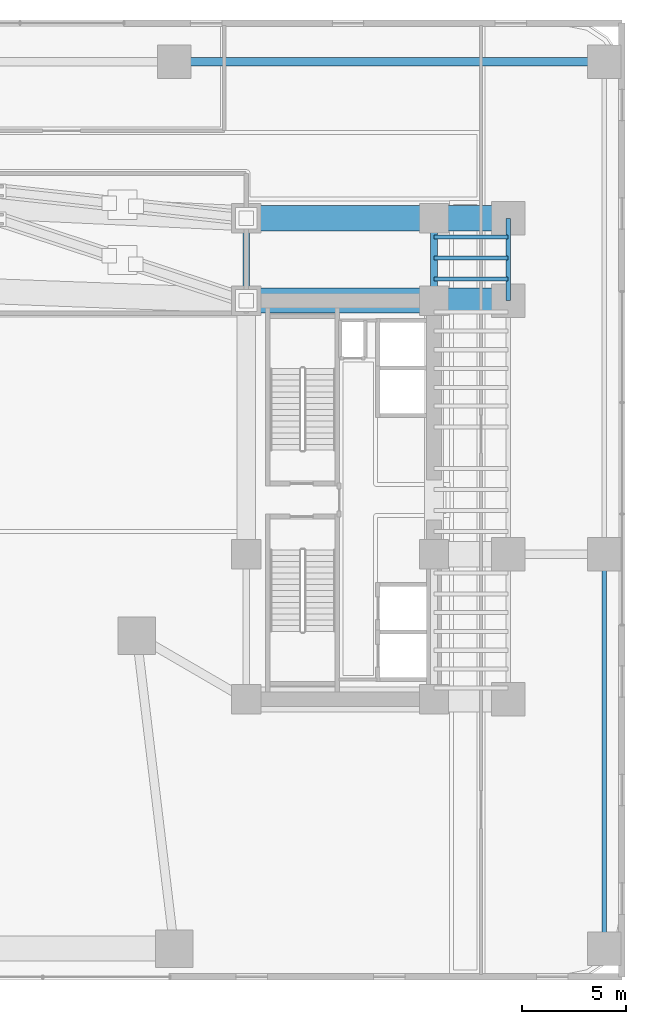
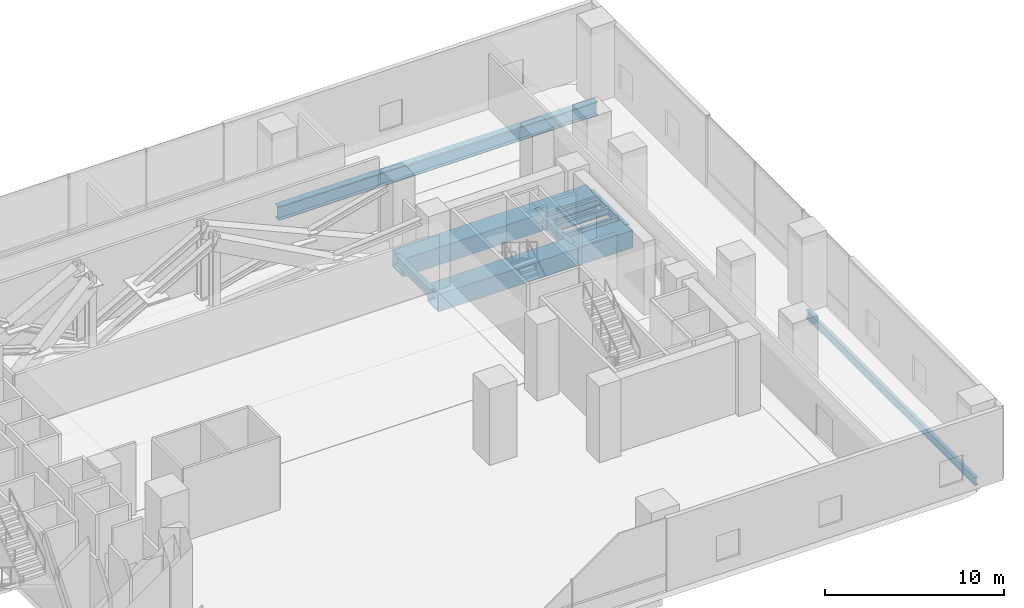
# One storey, part 19 of 41: 12 beams.
"""IFC4 building model written with IfcOpenShell, lengths in metres."""

from ifc_helpers import new_model, si_unit, direction, frame, origin, origin_2d, place, context, subcontext, project, spatial, hollow_rectangle, i_section, extrude, source, transform, mapped, material, material_profile, profile_set, type_object, element, save


model = new_model("IFC4")

# Units and contexts
model_context = context("Model", 3, precision=1e-05, world=origin(), true_north=direction((0.0, 1.0)))
body_context = subcontext(model_context, "Body", "Model", "MODEL_VIEW")
ifc_project = project(units=[si_unit("LENGTHUNIT", "METRE"), si_unit("AREAUNIT", "SQUARE_METRE"), si_unit("VOLUMEUNIT", "CUBIC_METRE"), si_unit("PLANEANGLEUNIT", "RADIAN"), si_unit("MASSUNIT", "GRAM", prefix="KILO")], contexts=[model_context])

# Site, building, storey
site_placement = place(None, origin())
site = spatial("IfcSite", under=ifc_project, at=site_placement, CompositionType="ELEMENT")
building_placement = place(site_placement, origin())
building = spatial("IfcBuilding", under=site, at=building_placement, Name="Valdorenza Pilgrim Sanctuary Tower", CompositionType="ELEMENT")
storey_placement = place(building_placement, frame((0.0, 0.0, 20.800048828125)))
storey = spatial("IfcBuildingStorey", under=building, at=storey_placement, Name="L04", CompositionType="ELEMENT", Elevation=20.800048828125)

# Beams
ifc_material_1 = material(Name="Steel ASTM A992 Grade 50", Category="steel")
ifc_material_profile_1 = material_profile(ifc_material_1, i_section(OverallWidth=0.323974609375, OverallDepth=0.611083984375, WebThickness=0.0126953125, FlangeThickness=0.01904296875, at=origin_2d()), Name="W24X104")
ifc_profile_set_1 = profile_set([ifc_material_profile_1], Name="Steel ASTM A992 Grade 50")
beam_type_1 = type_object("IfcBeamType", Name="STR-BM-GRD-W24B", PredefinedType="BEAM", material=ifc_profile_set_1)
shared_shape_1 = source(origin(), body_context, "Body", "SweptSolid", [
    extrude(i_section(OverallWidth=0.323974609375, OverallDepth=0.611083984375, WebThickness=0.0126953125, FlangeThickness=0.01904296875, at=origin_2d()), origin(), (0.0, 0.0, 1.0), 3.949951171875),
])
for number, where, z_axis, x_axis, name in (
    (1, (15.85009765625, 9.550048828125, -0.70556640625), (0.0, 1.0, 0.0), (-1.0, 0.0, 0.0), "L04 Core Tie Girder CB-W-N1N2"),
    (2, (24.85009765625, 9.550048828125, -0.70556640625), (0.0, 1.0, 0.0), (-1.0, 0.0, 0.0), "L04 Core Tie Girder CB-E-N1N2"),
):
    element("IfcBeam", number, at=place(storey_placement, frame(where, z_axis=z_axis, x_axis=x_axis)), inside=storey, type_object=beam_type_1, Name=name, PredefinedType="BEAM", context=body_context, shape_type="MappedRepresentation", body=[
        mapped(shared_shape_1, transform((0.0, 0.0, 0.0), x_axis=(1.0, 0.0, 0.0), y_axis=(0.0, 1.0, 0.0), z_axis=(0.0, 0.0, 1.0), scale=1.0)),
    ])
ifc_material_profile_2 = material_profile(ifc_material_1, i_section(OverallWidth=0.214111328125, OverallDepth=0.549072265625, WebThickness=0.0146484375, FlangeThickness=0.023681640625, at=origin_2d()), Name="W21X93")
ifc_profile_set_2 = profile_set([ifc_material_profile_2], Name="Steel ASTM A992 Grade 50")
beam_type_2 = type_object("IfcBeamType", Name="STR-BM-SPN-W21A", PredefinedType="SPANDREL", material=ifc_profile_set_2)
shared_shape_2 = source(origin(), body_context, "Body", "SweptSolid", [
    extrude(i_section(OverallWidth=0.214111328125, OverallDepth=0.549072265625, WebThickness=0.0146484375, FlangeThickness=0.023681640625, at=origin_2d()), origin(), (0.0, 0.0, 1.0), 3.949951171875),
])
beam_1_placement = place(storey_placement, frame((28.39990234375, 9.550048828125, -0.674560546875), z_axis=(0.0, 1.0, 0.0), x_axis=(-1.0, 0.0, 0.0)))
element("IfcBeam", 3, at=beam_1_placement, inside=storey, type_object=beam_type_2, Name="L04 Spandrel Beam WB-E-N1N2", PredefinedType="SPANDREL", context=body_context, shape_type="MappedRepresentation", body=[
    mapped(shared_shape_2, transform((0.0, 0.0, 0.0), x_axis=(1.0, 0.0, 0.0), y_axis=(0.0, 1.0, 0.0), z_axis=(0.0, 0.0, 1.0), scale=1.0)),
])
ifc_material_profile_3 = material_profile(ifc_material_1, i_section(OverallWidth=0.193115234375, OverallDepth=0.466064453125, WebThickness=0.011474609375, FlangeThickness=0.01904296875, at=origin_2d()), Name="W18X65")
ifc_profile_set_3 = profile_set([ifc_material_profile_3], Name="Steel ASTM A992 Grade 50")
beam_type_3 = type_object("IfcBeamType", Name="STR-BM-JST-W18A", PredefinedType="JOIST", material=ifc_profile_set_3)
shared_shape_3 = source(origin(), body_context, "Body", "SweptSolid", [
    extrude(i_section(OverallWidth=0.193115234375, OverallDepth=0.466064453125, WebThickness=0.011474609375, FlangeThickness=0.01904296875, at=origin_2d()), origin(), (0.0, 0.0, 1.0), 3.5498046875),
])
for number, where, z_axis, x_axis, name in (
    (4, (24.85009765625, 10.60009765625, -0.633056640625), (1.0, 0.0, 0.0), (0.0, 1.0, 0.0), "L04 Composite Floor Joist JST-WB-19"),
    (5, (24.85009765625, 11.60009765625, -0.633056640625), (1.0, 0.0, 0.0), (0.0, 1.0, 0.0), "L04 Composite Floor Joist JST-WB-20"),
    (6, (24.85009765625, 12.60009765625, -0.633056640625), (1.0, 0.0, 0.0), (0.0, 1.0, 0.0), "L04 Composite Floor Joist JST-WB-21"),
):
    element("IfcBeam", number, at=place(storey_placement, frame(where, z_axis=z_axis, x_axis=x_axis)), inside=storey, type_object=beam_type_3, Name=name, PredefinedType="JOIST", context=body_context, shape_type="MappedRepresentation", body=[
        mapped(shared_shape_3, transform((0.0, 0.0, 0.0), x_axis=(1.0, 0.0, 0.0), y_axis=(0.0, 1.0, 0.0), z_axis=(0.0, 0.0, 1.0), scale=1.0)),
    ])
shared_shape_4 = source(origin(), body_context, "Body", "SweptSolid", [
    extrude(i_section(OverallWidth=0.214111328125, OverallDepth=0.549072265625, WebThickness=0.0146484375, FlangeThickness=0.023681640625, at=origin_2d()), origin(), (0.0, 0.0, 1.0), 18.89990234375),
])
beam_2_placement = place(storey_placement, frame((33.0, -21.5, -0.674560546875), z_axis=(0.0, 1.0, 0.0), x_axis=(-1.0, 0.0, 0.0)))
element("IfcBeam", 7, at=beam_2_placement, inside=storey, type_object=beam_type_2, Name="L04 Floor Girder POD-SPN-ES", PredefinedType="SPANDREL", context=body_context, shape_type="MappedRepresentation", body=[
    mapped(shared_shape_4, transform((0.0, 0.0, 0.0), x_axis=(1.0, 0.0, 0.0), y_axis=(0.0, 1.0, 0.0), z_axis=(0.0, 0.0, 1.0), scale=1.0)),
])
ifc_material_profile_4 = material_profile(ifc_material_1, i_section(OverallWidth=0.423095703125, OverallDepth=0.947998046875, WebThickness=0.02392578125, FlangeThickness=0.042724609375, at=origin_2d()), Name="W36X302")
ifc_profile_set_4 = profile_set([ifc_material_profile_4], Name="Steel ASTM A992 Grade 50")
beam_type_4 = type_object("IfcBeamType", Name="STR-BM-GRD-W36A", PredefinedType="BEAM", material=ifc_profile_set_4)
shared_shape_5 = source(origin(), body_context, "Body", "SweptSolid", [
    extrude(i_section(OverallWidth=0.423095703125, OverallDepth=0.947998046875, WebThickness=0.02392578125, FlangeThickness=0.042724609375, at=origin_2d()), origin(), (0.0, 0.0, 1.0), 20.60009765625),
])
beam_3_placement = place(storey_placement, frame((12.39990234375, 21.0, -0.8740234375), z_axis=(1.0, 0.0, 0.0), x_axis=(0.0, 1.0, 0.0)))
element("IfcBeam", 8, at=beam_3_placement, inside=storey, type_object=beam_type_4, Name="L04 Floor Girder POD-N-TIE3", PredefinedType="BEAM", context=body_context, shape_type="MappedRepresentation", body=[
    mapped(shared_shape_5, transform((0.0, 0.0, 0.0), x_axis=(1.0, 0.0, 0.0), y_axis=(0.0, 1.0, 0.0), z_axis=(0.0, 0.0, 1.0), scale=1.0)),
])
ifc_material_2 = material(Name="Steel ASTM A572 Grade 42", Category="steel")
ifc_material_profile_5 = material_profile(ifc_material_2, hollow_rectangle(XDim=1.199951171875, YDim=1.199951171875, WallThickness=0.090087890625, at=origin_2d()), Name="BOX 1200x1200x90")
ifc_profile_set_5 = profile_set([ifc_material_profile_5], Name="Steel ASTM A572 Grade 42")
beam_type_5 = type_object("IfcBeamType", Name="STR-BM-TRF-1200", PredefinedType="BEAM", material=ifc_profile_set_5)
shared_shape_6 = source(origin(), body_context, "Body", "SweptSolid", [
    extrude(hollow_rectangle(XDim=1.199951171875, YDim=1.199951171875, WallThickness=0.090087890625, at=origin_2d()), origin(), (0.0, 0.0, 1.0), 9.0),
])
for number, where, z_axis, x_axis, name in (
    (9, (15.85009765625, 9.550048828125, -1.0), (1.0, 0.0, 0.0), (0.0, 1.0, 0.0), "L04 Transfer Girder CB-XC-N1"),
    (10, (15.85009765625, 13.5, -1.0), (1.0, 0.0, 0.0), (0.0, 1.0, 0.0), "L04 Transfer Girder CB-XC-N2"),
):
    element("IfcBeam", number, at=place(storey_placement, frame(where, z_axis=z_axis, x_axis=x_axis)), inside=storey, type_object=beam_type_5, Name=name, PredefinedType="BEAM", context=body_context, shape_type="MappedRepresentation", body=[
        mapped(shared_shape_6, transform((0.0, 0.0, 0.0), x_axis=(1.0, 0.0, 0.0), y_axis=(0.0, 1.0, 0.0), z_axis=(0.0, 0.0, 1.0), scale=1.0)),
    ])
shared_shape_7 = source(origin(), body_context, "Body", "SweptSolid", [
    extrude(hollow_rectangle(XDim=1.199951171875, YDim=1.199951171875, WallThickness=0.090087890625, at=origin_2d()), origin(), (0.0, 0.0, 1.0), 3.5498046875),
])
for number, where, z_axis, x_axis, name in (
    (11, (24.85009765625, 9.550048828125, -1.0), (1.0, 0.0, 0.0), (0.0, 1.0, 0.0), "L04 Transfer Girder WB-XE-N1"),
    (12, (24.85009765625, 13.5, -1.0), (1.0, 0.0, 0.0), (0.0, 1.0, 0.0), "L04 Transfer Girder WB-XE-N2"),
):
    element("IfcBeam", number, at=place(storey_placement, frame(where, z_axis=z_axis, x_axis=x_axis)), inside=storey, type_object=beam_type_5, Name=name, PredefinedType="BEAM", context=body_context, shape_type="MappedRepresentation", body=[
        mapped(shared_shape_7, transform((0.0, 0.0, 0.0), x_axis=(1.0, 0.0, 0.0), y_axis=(0.0, 1.0, 0.0), z_axis=(0.0, 0.0, 1.0), scale=1.0)),
    ])

save(model, "model.ifc")
